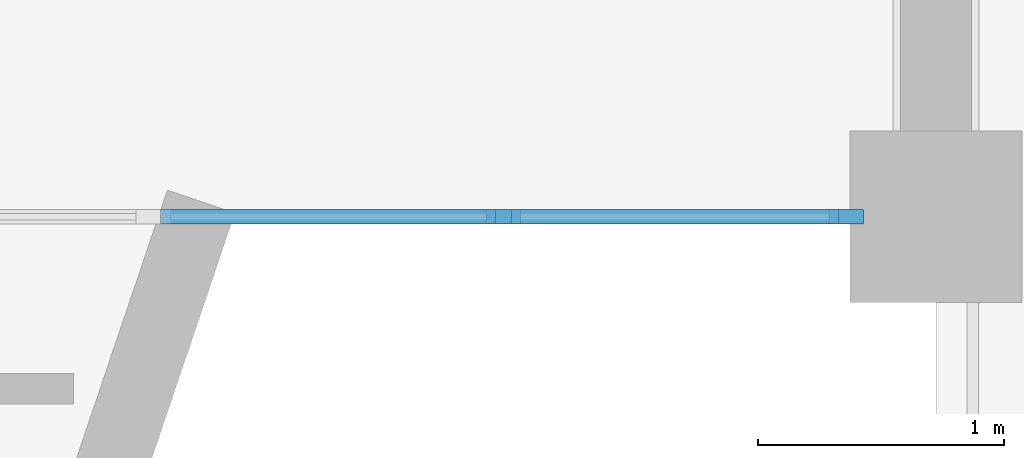
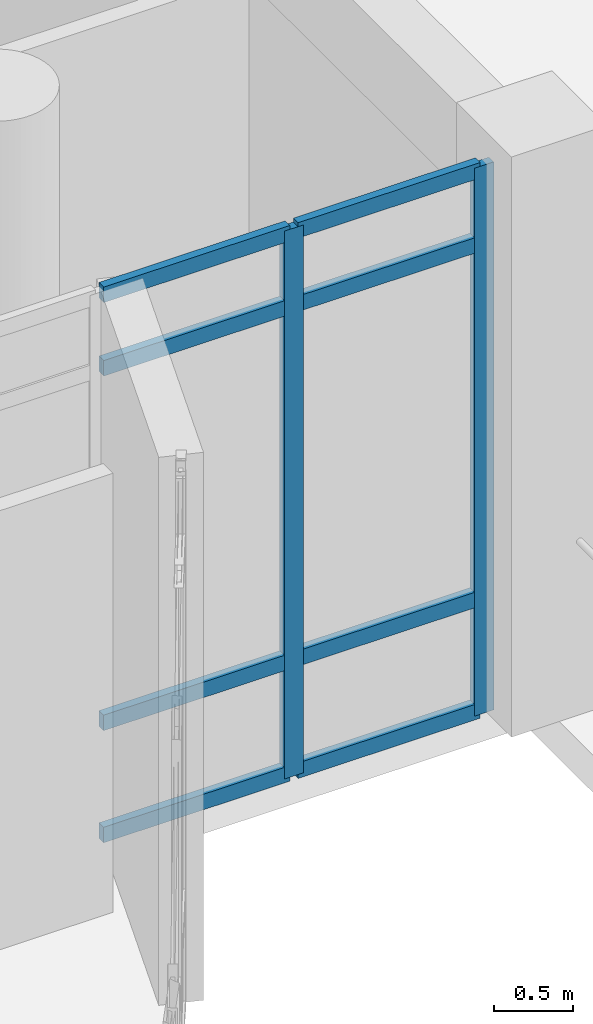
# One storey, part 24 of 54: 10 members, 1 element without a shape of its own.
"""IFC4 building model written with IfcOpenShell, lengths in metres."""

from ifc_helpers import new_model, si_unit, direction, frame, origin, origin_2d, place, context, subcontext, project, spatial, rectangle, extrude, material, layer, layer_set, material_profile, profile_set, type_object, element, aggregate, save


model = new_model("IFC4")

# Units and contexts
model_context = context("Model", 3, precision=1e-05, world=origin(), true_north=direction((0.0, 1.0)))
body_context = subcontext(model_context, "Body", "Model", "MODEL_VIEW")
ifc_project = project(units=[si_unit("LENGTHUNIT", "METRE"), si_unit("AREAUNIT", "SQUARE_METRE"), si_unit("VOLUMEUNIT", "CUBIC_METRE"), si_unit("PLANEANGLEUNIT", "RADIAN"), si_unit("MASSUNIT", "GRAM", prefix="KILO")], contexts=[model_context])

# Site, building, storey
site_placement = place(None, origin())
site = spatial("IfcSite", under=ifc_project, at=site_placement, CompositionType="ELEMENT")
building_placement = place(site_placement, origin())
building = spatial("IfcBuilding", under=site, at=building_placement, Name="Miralva Faculty of Natural Sciences", CompositionType="ELEMENT")
storey_placement = place(building_placement, frame((0.0, 0.0, 19.5)))
storey = spatial("IfcBuildingStorey", under=building, at=storey_placement, Name="L04", CompositionType="ELEMENT", Elevation=19.5)

# Curtain wall, members
ifc_material_1 = material(Name="Laminated solar-control glass", Category="glass")
ifc_layer = layer(ifc_material_1, 0.179931640625, Name="CW-COM-L01")
ifc_layer_set = layer_set([ifc_layer], Name="Laminated solar-control glass")
curtain_wall_type = type_object("IfcCurtainWallType", Name="CW-COM-L01", PredefinedType="USERDEFINED", material=ifc_layer_set)
curtain_wall_placement = place(storey_placement, origin())
curtain_wall = element("IfcCurtainWall", 1, at=curtain_wall_placement, inside=storey, type_object=curtain_wall_type, Name="Curtain wall CW-10 L04-308", ObjectType="UNITISED CURTAIN WALL", PredefinedType="USERDEFINED")
ifc_material_2 = material(Name="Anodised aluminium", Category="aluminium")
ifc_material_profile_1 = material_profile(ifc_material_2, rectangle(XDim=0.06005859375, YDim=0.139892578125, at=origin_2d()), Name="MULLION 60x140")
ifc_profile_set_1 = profile_set([ifc_material_profile_1], Name="Anodised aluminium")
member_type_1 = type_object("IfcMemberType", Name="CW-M03", PredefinedType="MULLION", material=ifc_profile_set_1)
member_1_placement = place(storey_placement, frame((132.0390625, 18.0, 0.0), z_axis=(0.0, 0.0, 1.0), x_axis=(0.0, 1.0, 0.0)))
member_1 = element("IfcMember", 2, at=member_1_placement, type_object=member_type_1, Name="CW-10 mullion 5", PredefinedType="MULLION", context=body_context, shape_type="SweptSolid", body=[
    extrude(rectangle(XDim=0.06005859375, YDim=0.139892578125, at=origin_2d()), origin(), (0.0, 0.0, 1.0), 4.25),
])
member_2_placement = place(storey_placement, frame((133.43505859375, 18.0, 0.0), z_axis=(0.0, 0.0, 1.0), x_axis=(0.0, 1.0, 0.0)))
member_2 = element("IfcMember", 3, at=member_2_placement, type_object=member_type_1, Name="CW-10 mullion 6", PredefinedType="MULLION", context=body_context, shape_type="SweptSolid", body=[
    extrude(rectangle(XDim=0.06005859375, YDim=0.139892578125, at=origin_2d()), origin(), (0.0, 0.0, 1.0), 4.25),
])
ifc_material_profile_2 = material_profile(ifc_material_2, rectangle(XDim=0.06005859375, YDim=0.1201171875, at=origin_2d()), Name="TRANSOM 60x120")
ifc_profile_set_2 = profile_set([ifc_material_profile_2], Name="Anodised aluminium")
member_type_2 = type_object("IfcMemberType", Name="CW-T02", PredefinedType="USERDEFINED", material=ifc_profile_set_2)
member_3_placement = place(storey_placement, frame((130.64306640625, 18.0, 0.030029296875), z_axis=(1.0, 0.0, 0.0), x_axis=(0.0, 1.0, 0.0)))
member_3 = element("IfcMember", 4, at=member_3_placement, type_object=member_type_2, Name="CW-10 transom 4.1", ObjectType="TRANSOM", PredefinedType="USERDEFINED", context=body_context, shape_type="SweptSolid", body=[
    extrude(rectangle(XDim=0.06005859375, YDim=0.1201171875, at=origin_2d()), origin(), (0.0, 0.0, 1.0), 1.365966796875),
])
member_4_placement = place(storey_placement, frame((130.64306640625, 18.0, 0.89990234375), z_axis=(1.0, 0.0, 0.0), x_axis=(0.0, 1.0, 0.0)))
member_4 = element("IfcMember", 5, at=member_4_placement, type_object=member_type_2, Name="CW-10 transom 4.2", ObjectType="TRANSOM", PredefinedType="USERDEFINED", context=body_context, shape_type="SweptSolid", body=[
    extrude(rectangle(XDim=0.06005859375, YDim=0.1201171875, at=origin_2d()), origin(), (0.0, 0.0, 1.0), 1.365966796875),
])
member_5_placement = place(storey_placement, frame((130.64306640625, 18.0, 3.64990234375), z_axis=(1.0, 0.0, 0.0), x_axis=(0.0, 1.0, 0.0)))
member_5 = element("IfcMember", 6, at=member_5_placement, type_object=member_type_2, Name="CW-10 transom 4.3", ObjectType="TRANSOM", PredefinedType="USERDEFINED", context=body_context, shape_type="SweptSolid", body=[
    extrude(rectangle(XDim=0.06005859375, YDim=0.1201171875, at=origin_2d()), origin(), (0.0, 0.0, 1.0), 1.365966796875),
])
member_6_placement = place(storey_placement, frame((130.64306640625, 18.0, 4.219970703125), z_axis=(1.0, 0.0, 0.0), x_axis=(0.0, 1.0, 0.0)))
member_6 = element("IfcMember", 7, at=member_6_placement, type_object=member_type_2, Name="CW-10 transom 4.4", ObjectType="TRANSOM", PredefinedType="USERDEFINED", context=body_context, shape_type="SweptSolid", body=[
    extrude(rectangle(XDim=0.06005859375, YDim=0.1201171875, at=origin_2d()), origin(), (0.0, 0.0, 1.0), 1.365966796875),
])
member_7_placement = place(storey_placement, frame((132.069091796875, 18.0, 0.030029296875), z_axis=(1.0, 0.0, 0.0), x_axis=(0.0, 1.0, 0.0)))
member_7 = element("IfcMember", 8, at=member_7_placement, type_object=member_type_2, Name="CW-10 transom 5.1", ObjectType="TRANSOM", PredefinedType="USERDEFINED", context=body_context, shape_type="SweptSolid", body=[
    extrude(rectangle(XDim=0.06005859375, YDim=0.1201171875, at=origin_2d()), origin(), (0.0, 0.0, 1.0), 1.3359375),
])
member_8_placement = place(storey_placement, frame((132.069091796875, 18.0, 0.89990234375), z_axis=(1.0, 0.0, 0.0), x_axis=(0.0, 1.0, 0.0)))
member_8 = element("IfcMember", 9, at=member_8_placement, type_object=member_type_2, Name="CW-10 transom 5.2", ObjectType="TRANSOM", PredefinedType="USERDEFINED", context=body_context, shape_type="SweptSolid", body=[
    extrude(rectangle(XDim=0.06005859375, YDim=0.1201171875, at=origin_2d()), origin(), (0.0, 0.0, 1.0), 1.3359375),
])
member_9_placement = place(storey_placement, frame((132.069091796875, 18.0, 3.64990234375), z_axis=(1.0, 0.0, 0.0), x_axis=(0.0, 1.0, 0.0)))
member_9 = element("IfcMember", 10, at=member_9_placement, type_object=member_type_2, Name="CW-10 transom 5.3", ObjectType="TRANSOM", PredefinedType="USERDEFINED", context=body_context, shape_type="SweptSolid", body=[
    extrude(rectangle(XDim=0.06005859375, YDim=0.1201171875, at=origin_2d()), origin(), (0.0, 0.0, 1.0), 1.3359375),
])
member_10_placement = place(storey_placement, frame((132.069091796875, 18.0, 4.219970703125), z_axis=(1.0, 0.0, 0.0), x_axis=(0.0, 1.0, 0.0)))
member_10 = element("IfcMember", 11, at=member_10_placement, type_object=member_type_2, Name="CW-10 transom 5.4", ObjectType="TRANSOM", PredefinedType="USERDEFINED", context=body_context, shape_type="SweptSolid", body=[
    extrude(rectangle(XDim=0.06005859375, YDim=0.1201171875, at=origin_2d()), origin(), (0.0, 0.0, 1.0), 1.3359375),
])
aggregate(curtain_wall, [member_1, member_2, member_3, member_4, member_5, member_6, member_7, member_8, member_9, member_10])

save(model, "model.ifc")
